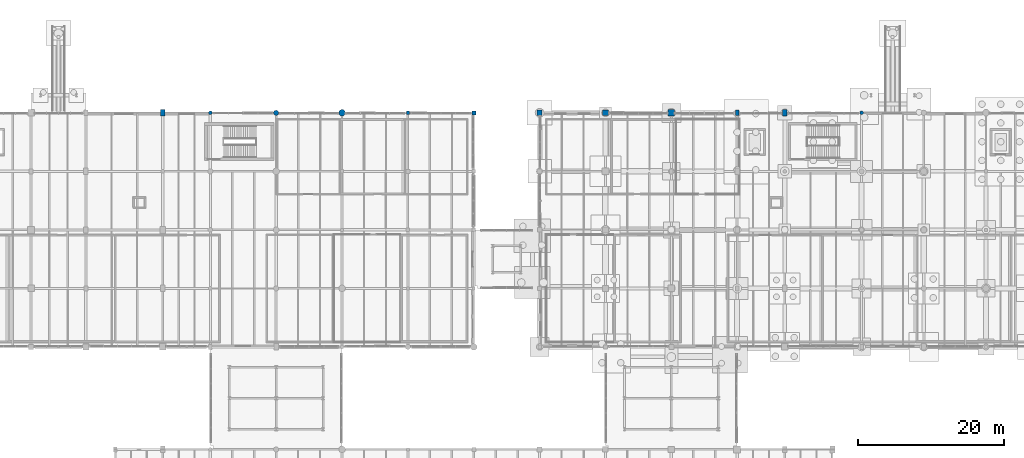
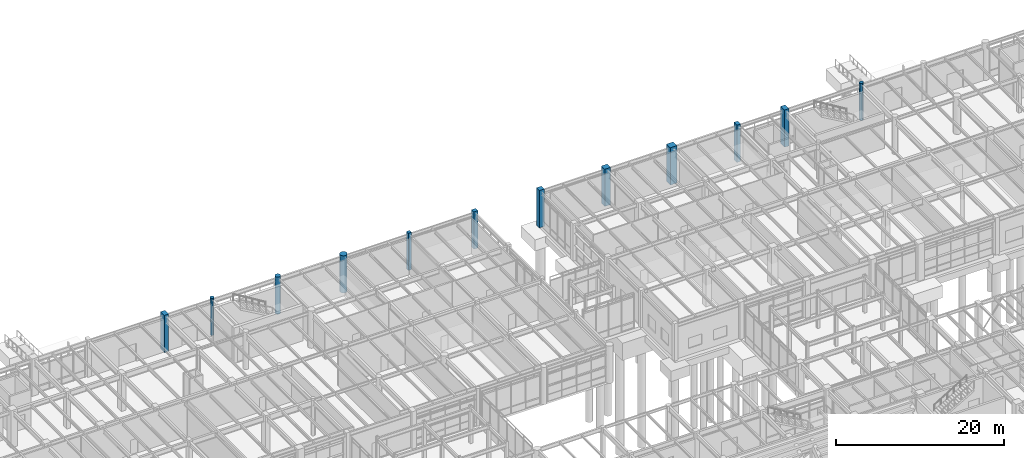
# One storey, part 24 of 203: 12 columns.
"""IFC4 building model written with IfcOpenShell, lengths in metres."""

from ifc_helpers import new_model, si_unit, direction, frame, origin, origin_2d, place, context, subcontext, project, spatial, rectangle, circle, extrude, material, material_profile, profile_set, type_object, element, save


model = new_model("IFC4")

# Units and contexts
model_context = context("Model", 3, precision=1e-05, world=origin(), true_north=direction((0.0, 1.0)))
body_context = subcontext(model_context, "Body", "Model", "MODEL_VIEW")
ifc_project = project(units=[si_unit("LENGTHUNIT", "METRE"), si_unit("AREAUNIT", "SQUARE_METRE"), si_unit("VOLUMEUNIT", "CUBIC_METRE"), si_unit("PLANEANGLEUNIT", "RADIAN"), si_unit("MASSUNIT", "GRAM", prefix="KILO"), si_unit("THERMODYNAMICTEMPERATUREUNIT", "KELVIN"), si_unit("POWERUNIT", "WATT")], contexts=[model_context])

# Site, building, storey
site_placement = place(None, origin())
site = spatial("IfcSite", under=ifc_project, at=site_placement, CompositionType="ELEMENT")
building_placement = place(site_placement, origin())
building = spatial("IfcBuilding", under=site, at=building_placement, Name="Tepalcoro Natatorium and Aquatics Centre", CompositionType="ELEMENT")
storey_placement = place(building_placement, origin())
storey = spatial("IfcBuildingStorey", under=building, at=storey_placement, Name="L00", CompositionType="ELEMENT", Elevation=0.0)

# Columns
ifc_material = material(Name="Concrete C40/50 (fc 40 MPa)", Category="concrete")
ifc_material_profile_1 = material_profile(ifc_material, rectangle(XDim=0.449951171875, YDim=0.449951171875, at=origin_2d()), Name="RC450x450")
ifc_profile_set_1 = profile_set([ifc_material_profile_1], Name="Concrete C40/50 (fc 40 MPa)")
column_type_1 = type_object("IfcColumnType", Name="COL_RC_450x450", PredefinedType="COLUMN", material=ifc_profile_set_1)
column_1_placement = place(storey_placement, frame((80.0, 118.0, 0.0), z_axis=(0.0, 0.0, 1.0), x_axis=(1.0, 0.0, 0.0)))
element("IfcColumn", 1, at=column_1_placement, inside=storey, type_object=column_type_1, Name="V4 L00 Grid Column (80.0, 118.0)", PredefinedType="COLUMN", context=body_context, shape_type="SweptSolid", body=[
    extrude(rectangle(XDim=0.449951171875, YDim=0.449951171875, at=origin_2d()), origin(), (0.0, 0.0, 1.0), 5.39990234375),
])
ifc_material_profile_2 = material_profile(ifc_material, rectangle(XDim=0.5, YDim=0.699951171875, at=origin_2d()), Name="RC500x700")
ifc_profile_set_2 = profile_set([ifc_material_profile_2], Name="Concrete C40/50 (fc 40 MPa)")
column_type_2 = type_object("IfcColumnType", Name="COL_RC_500x700", PredefinedType="COLUMN", material=ifc_profile_set_2)
column_2_placement = place(storey_placement, frame((125.0, 118.0, 0.0), z_axis=(0.0, 0.0, 1.0), x_axis=(1.0, 0.0, 0.0)))
element("IfcColumn", 2, at=column_2_placement, inside=storey, type_object=column_type_2, Name="V5 L00 Grid Column (125.0, 118.0)", PredefinedType="COLUMN", context=body_context, shape_type="SweptSolid", body=[
    extrude(rectangle(XDim=0.5, YDim=0.699951171875, at=origin_2d()), origin(), (0.0, 0.0, 1.0), 5.39990234375),
])
ifc_material_profile_3 = material_profile(ifc_material, rectangle(XDim=0.550048828125, YDim=0.550048828125, at=origin_2d()), Name="RC550x550")
ifc_profile_set_3 = profile_set([ifc_material_profile_3], Name="Concrete C40/50 (fc 40 MPa)")
column_type_3 = type_object("IfcColumnType", Name="COL_RC_550x550", PredefinedType="COLUMN", material=ifc_profile_set_3)
column_3_placement = place(storey_placement, frame((89.0, 118.0, 0.0), z_axis=(0.0, 0.0, 1.0), x_axis=(1.0, 0.0, 0.0)))
element("IfcColumn", 3, at=column_3_placement, inside=storey, type_object=column_type_3, Name="V4 L00 Grid Column (89.0, 118.0)", PredefinedType="COLUMN", context=body_context, shape_type="SweptSolid", body=[
    extrude(rectangle(XDim=0.550048828125, YDim=0.550048828125, at=origin_2d()), origin(), (0.0, 0.0, 1.0), 5.39990234375),
])
ifc_material_profile_4 = material_profile(ifc_material, rectangle(XDim=0.60009765625, YDim=0.89990234375, at=origin_2d()), Name="RC600x900")
ifc_profile_set_4 = profile_set([ifc_material_profile_4], Name="Concrete C40/50 (fc 40 MPa)")
column_type_4 = type_object("IfcColumnType", Name="COL_RC_600x900", PredefinedType="COLUMN", material=ifc_profile_set_4)
for number, where, z_axis, x_axis, name in (
    (4, (46.5, 118.0, 0.0), (0.0, 0.0, 1.0), (1.0, 0.0, 0.0), "V4 L00 Grid Column (46.5, 118.0)"),
    (5, (131.5, 118.0, 0.0), (0.0, 0.0, 1.0), (1.0, 0.0, 0.0), "V5 L00 Grid Column (131.5, 118.0)"),
):
    element("IfcColumn", number, at=place(storey_placement, frame(where, z_axis=z_axis, x_axis=x_axis)), inside=storey, type_object=column_type_4, Name=name, PredefinedType="COLUMN", context=body_context, shape_type="SweptSolid", body=[
        extrude(rectangle(XDim=0.60009765625, YDim=0.89990234375, at=origin_2d()), origin(), (0.0, 0.0, 1.0), 5.39990234375),
    ])
ifc_material_profile_5 = material_profile(ifc_material, rectangle(XDim=0.699951171875, YDim=0.699951171875, at=origin_2d()), Name="RC700x700")
ifc_profile_set_5 = profile_set([ifc_material_profile_5], Name="Concrete C40/50 (fc 40 MPa)")
column_type_5 = type_object("IfcColumnType", Name="COL_RC_700x700", PredefinedType="COLUMN", material=ifc_profile_set_5)
column_4_placement = place(storey_placement, frame((98.0, 118.0, 0.0), z_axis=(0.0, 0.0, 1.0), x_axis=(1.0, 0.0, 0.0)))
element("IfcColumn", 6, at=column_4_placement, inside=storey, type_object=column_type_5, Name="V5 L00 Grid Column (98.0, 118.0)", PredefinedType="COLUMN", context=body_context, shape_type="SweptSolid", body=[
    extrude(rectangle(XDim=0.699951171875, YDim=0.699951171875, at=origin_2d()), origin(), (0.0, 0.0, 1.0), 5.39990234375),
])
ifc_material_profile_6 = material_profile(ifc_material, rectangle(XDim=0.800048828125, YDim=0.800048828125, at=origin_2d()), Name="RC800x800")
ifc_profile_set_6 = profile_set([ifc_material_profile_6], Name="Concrete C40/50 (fc 40 MPa)")
column_type_6 = type_object("IfcColumnType", Name="COL_RC_800x800", PredefinedType="COLUMN", material=ifc_profile_set_6)
column_5_placement = place(storey_placement, frame((107.0, 118.0, 0.0), z_axis=(0.0, 0.0, 1.0), x_axis=(1.0, 0.0, 0.0)))
element("IfcColumn", 7, at=column_5_placement, inside=storey, type_object=column_type_6, Name="V5 L00 Grid Column (107.0, 118.0)", PredefinedType="COLUMN", context=body_context, shape_type="SweptSolid", body=[
    extrude(rectangle(XDim=0.800048828125, YDim=0.800048828125, at=origin_2d()), origin(), (0.0, 0.0, 1.0), 5.39990234375),
])
ifc_material_profile_7 = material_profile(ifc_material, rectangle(XDim=0.89990234375, YDim=0.89990234375, at=origin_2d()), Name="RC900x900")
ifc_profile_set_7 = profile_set([ifc_material_profile_7], Name="Concrete C40/50 (fc 40 MPa)")
column_type_7 = type_object("IfcColumnType", Name="COL_RC_900x900", PredefinedType="COLUMN", material=ifc_profile_set_7)
column_6_placement = place(storey_placement, frame((116.0, 118.0, 0.0), z_axis=(0.0, 0.0, 1.0), x_axis=(1.0, 0.0, 0.0)))
element("IfcColumn", 8, at=column_6_placement, inside=storey, type_object=column_type_7, Name="V5 L00 Grid Column (116.0, 118.0)", PredefinedType="COLUMN", context=body_context, shape_type="SweptSolid", body=[
    extrude(rectangle(XDim=0.89990234375, YDim=0.89990234375, at=origin_2d()), origin(), (0.0, 0.0, 1.0), 5.39990234375),
])
ifc_material_profile_8 = material_profile(ifc_material, circle(Radius=0.25, at=origin_2d()), Name="RCD500")
ifc_profile_set_8 = profile_set([ifc_material_profile_8], Name="Concrete C40/50 (fc 40 MPa)")
column_type_8 = type_object("IfcColumnType", Name="COL_RC_D500", PredefinedType="COLUMN", material=ifc_profile_set_8)
for number, where, z_axis, x_axis, name in (
    (9, (53.0, 118.0, 0.0), (0.0, 0.0, 1.0), (1.0, 0.0, 0.0), "V4 L00 Grid Column (53.0, 118.0)"),
    (10, (142.0, 118.0, 0.0), (0.0, 0.0, 1.0), (1.0, 0.0, 0.0), "V5 L00 Grid Column (142.0, 118.0)"),
):
    element("IfcColumn", number, at=place(storey_placement, frame(where, z_axis=z_axis, x_axis=x_axis)), inside=storey, type_object=column_type_8, Name=name, PredefinedType="COLUMN", context=body_context, shape_type="SweptSolid", body=[
        extrude(circle(Radius=0.25, at=origin_2d()), origin(), (0.0, 0.0, 1.0), 5.39990234375),
    ])
ifc_material_profile_9 = material_profile(ifc_material, circle(Radius=0.35009765625, at=origin_2d()), Name="RCD700")
ifc_profile_set_9 = profile_set([ifc_material_profile_9], Name="Concrete C40/50 (fc 40 MPa)")
column_type_9 = type_object("IfcColumnType", Name="COL_RC_D700", PredefinedType="COLUMN", material=ifc_profile_set_9)
column_7_placement = place(storey_placement, frame((62.0, 118.0, 0.0), z_axis=(0.0, 0.0, 1.0), x_axis=(1.0, 0.0, 0.0)))
element("IfcColumn", 11, at=column_7_placement, inside=storey, type_object=column_type_9, Name="V4 L00 Grid Column (62.0, 118.0)", PredefinedType="COLUMN", context=body_context, shape_type="SweptSolid", body=[
    extrude(circle(Radius=0.35009765625, at=origin_2d()), origin(), (0.0, 0.0, 1.0), 5.39990234375),
])
ifc_material_profile_10 = material_profile(ifc_material, circle(Radius=0.449951171875, at=origin_2d()), Name="RCD900")
ifc_profile_set_10 = profile_set([ifc_material_profile_10], Name="Concrete C40/50 (fc 40 MPa)")
column_type_10 = type_object("IfcColumnType", Name="COL_RC_D900", PredefinedType="COLUMN", material=ifc_profile_set_10)
column_8_placement = place(storey_placement, frame((71.0, 118.0, 0.0), z_axis=(0.0, 0.0, 1.0), x_axis=(1.0, 0.0, 0.0)))
element("IfcColumn", 12, at=column_8_placement, inside=storey, type_object=column_type_10, Name="V4 L00 Grid Column (71.0, 118.0)", PredefinedType="COLUMN", context=body_context, shape_type="SweptSolid", body=[
    extrude(circle(Radius=0.449951171875, at=origin_2d()), origin(), (0.0, 0.0, 1.0), 5.39990234375),
])

save(model, "model.ifc")
